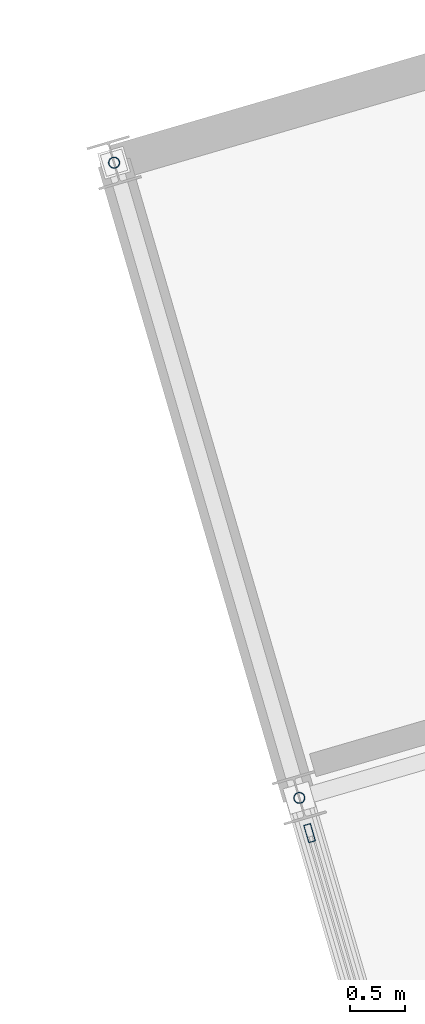
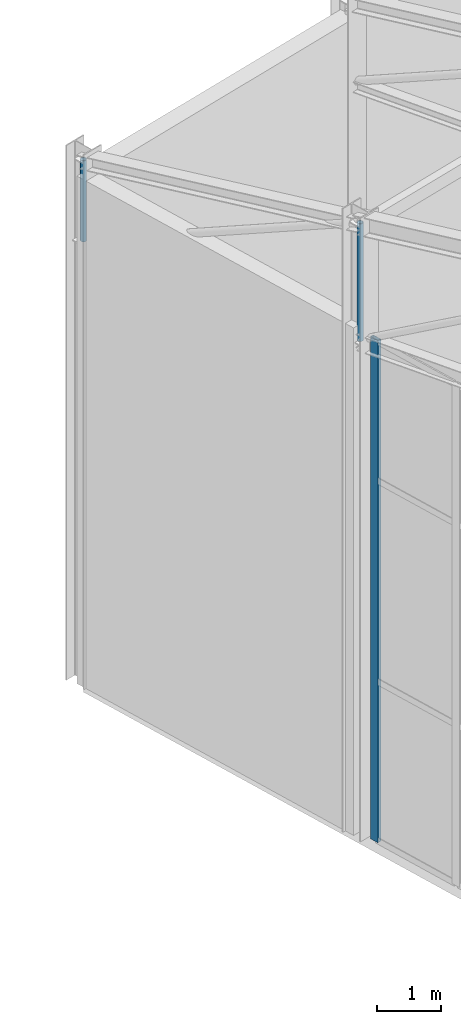
# One storey, part 144 of 248: 3 members, 1 element without a shape of its own.
"""IFC4 building model written with IfcOpenShell, lengths in metres."""

from ifc_helpers import new_model, si_unit, direction, frame, origin, origin_2d, place, context, subcontext, project, spatial, hollow_rectangle, hollow_circle, extrude, material, layer, layer_set, material_profile, profile_set, type_object, element, aggregate, save


model = new_model("IFC4")

# Units and contexts
model_context = context("Model", 3, precision=1e-05, world=origin(), true_north=direction((0.0, 1.0)))
body_context = subcontext(model_context, "Body", "Model", "MODEL_VIEW")
ifc_project = project(units=[si_unit("LENGTHUNIT", "METRE"), si_unit("AREAUNIT", "SQUARE_METRE"), si_unit("VOLUMEUNIT", "CUBIC_METRE"), si_unit("PLANEANGLEUNIT", "RADIAN"), si_unit("MASSUNIT", "GRAM", prefix="KILO")], contexts=[model_context])

# Site, building, storey
site_placement = place(None, origin())
site = spatial("IfcSite", under=ifc_project, at=site_placement, CompositionType="ELEMENT")
building_placement = place(site_placement, origin())
building = spatial("IfcBuilding", under=site, at=building_placement, Name="Canggui Botanical Conservatory", CompositionType="ELEMENT")
storey_placement = place(building_placement, frame((0.0, 0.0, 5.39990234375)))
storey = spatial("IfcBuildingStorey", under=building, at=storey_placement, Name="L02", CompositionType="ELEMENT", Elevation=5.39990234375)

# Curtain wall, member
ifc_material_1 = material(Name="Thermally Broken Aluminium", Category="aluminium")
ifc_layer = layer(ifc_material_1, 0.1650390625, Name="Thermally Broken Aluminium", Category="aluminium")
ifc_layer_set = layer_set([ifc_layer], Name="Thermally Broken Aluminium")
curtain_wall_type = type_object("IfcCurtainWallType", Name="CW-UNIT-B", PredefinedType="USERDEFINED", material=ifc_layer_set)
curtain_wall_placement = place(storey_placement, origin())
curtain_wall = element("IfcCurtainWall", 1, at=curtain_wall_placement, inside=storey, type_object=curtain_wall_type, Name="Facade Curtain Wall CW-AUD-FOYER-L02-2", ObjectType="UNITISED CURTAIN WALL", PredefinedType="USERDEFINED")
ifc_material_profile_1 = material_profile(ifc_material_1, hollow_rectangle(XDim=0.06494140625, YDim=0.1650390625, WallThickness=0.00390625, at=origin_2d()), Name="CWM 65x165x4")
ifc_profile_set_1 = profile_set([ifc_material_profile_1], Name="Thermally Broken Aluminium")
member_type_1 = type_object("IfcMemberType", Name="CWM-02", PredefinedType="MULLION", material=ifc_profile_set_1)
member_1_placement = place(storey_placement, frame((61.052978515625, 106.960693359375, 0.0), z_axis=(0.0, 0.0, 1.0), x_axis=(-0.960000000002, -0.279999999995, 0.0)))
member_1 = element("IfcMember", 2, at=member_1_placement, type_object=member_type_1, Name="CW-02 mullion 4", PredefinedType="MULLION", context=body_context, shape_type="SweptSolid", body=[
    extrude(hollow_rectangle(XDim=0.06494140625, YDim=0.1650390625, WallThickness=0.00390625, at=origin_2d()), origin(), (0.0, 0.0, 1.0), 9.60009765625),
])
aggregate(curtain_wall, [member_1])

# Members
ifc_material_2 = material(Name="Steel Q355B", Category="steel")
ifc_material_profile_2 = material_profile(ifc_material_2, hollow_circle(Radius=0.051025390625, WallThickness=0.0048828125, at=origin_2d()), Name="CHS 102x5")
ifc_profile_set_2 = profile_set([ifc_material_profile_2], Name="Steel Q355B")
member_type_2 = type_object("IfcMemberType", Name="MEM-TW04", PredefinedType="BRACE", material=ifc_profile_set_2)
member_2_placement = place(storey_placement, frame((60.9599609375, 107.280029296875, 9.400146484375), z_axis=(0.0, 0.0, 1.0), x_axis=(1.0, 0.0, 0.0)))
element("IfcMember", 3, at=member_2_placement, inside=storey, type_object=member_type_2, Name="Auditorium Truss AT-01 Vertical Post 4", PredefinedType="BRACE", context=body_context, shape_type="SweptSolid", body=[
    extrude(hollow_circle(Radius=0.051025390625, WallThickness=0.0048828125, at=origin_2d()), origin(), (0.0, 0.0, 1.0), 2.25),
])
member_3_placement = place(storey_placement, frame((59.280029296875, 113.0400390625, 8.400146484375), z_axis=(0.0, 0.0, 1.0), x_axis=(1.0, 0.0, 0.0)))
element("IfcMember", 4, at=member_3_placement, inside=storey, type_object=member_type_2, Name="Auditorium Truss AT-01 Vertical Post 5", PredefinedType="BRACE", context=body_context, shape_type="SweptSolid", body=[
    extrude(hollow_circle(Radius=0.051025390625, WallThickness=0.0048828125, at=origin_2d()), origin(), (0.0, 0.0, 1.0), 1.550048828125),
])

save(model, "model.ifc")
